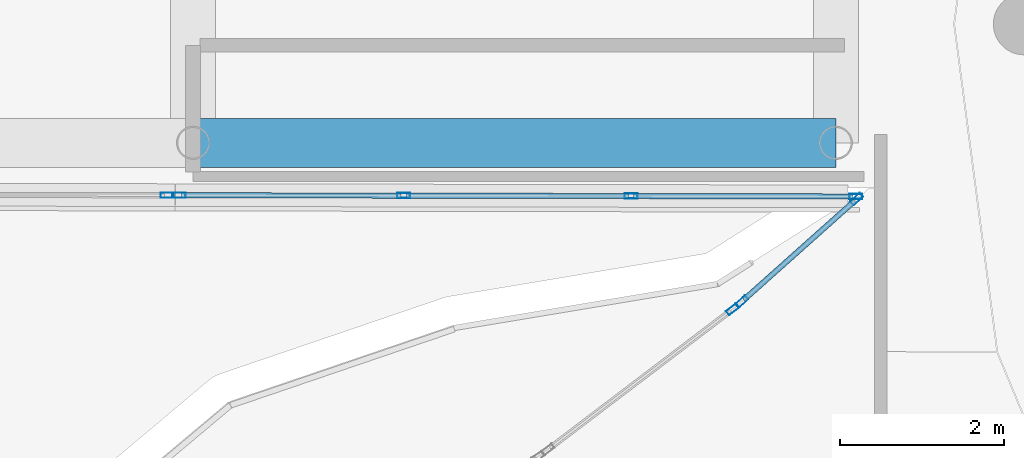
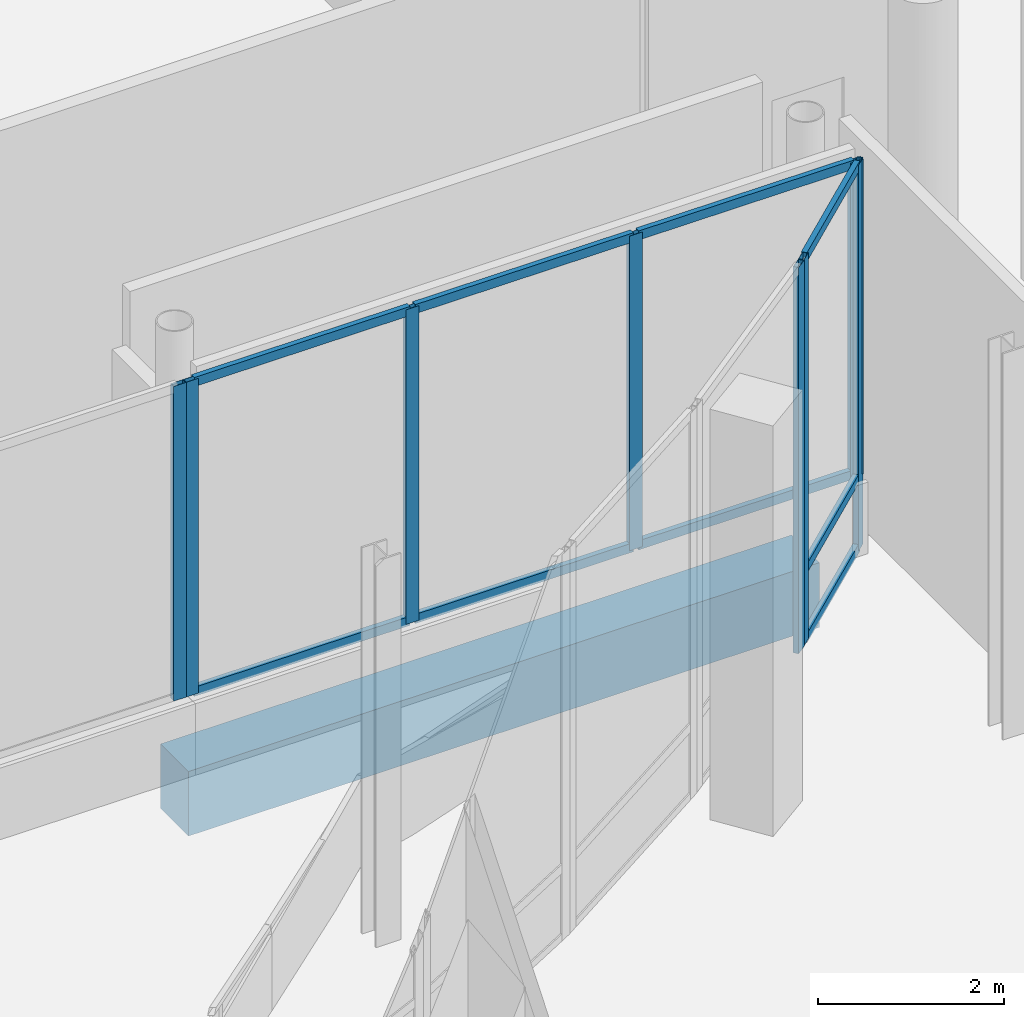
# One storey, part 54 of 158: 17 members, 1 beam, 4 elements without a shape of their own.
"""IFC4 building model written with IfcOpenShell, lengths in metres."""

from ifc_helpers import new_model, si_unit, direction, frame, origin, origin_2d, place, context, subcontext, project, spatial, rectangle, hollow_rectangle, extrude, material, material_profile, profile_set, type_object, element, aggregate, save


model = new_model("IFC4")

# Units and contexts
model_context = context("Model", 3, precision=1e-05, world=origin(), true_north=direction((0.0, 1.0)))
body_context = subcontext(model_context, "Body", "Model", "MODEL_VIEW")
ifc_project = project(units=[si_unit("LENGTHUNIT", "METRE"), si_unit("AREAUNIT", "SQUARE_METRE"), si_unit("VOLUMEUNIT", "CUBIC_METRE"), si_unit("PLANEANGLEUNIT", "RADIAN"), si_unit("MASSUNIT", "GRAM", prefix="KILO")], contexts=[model_context])

# Site, building, storey
site_placement = place(None, origin())
site = spatial("IfcSite", under=ifc_project, at=site_placement, CompositionType="ELEMENT")
building_placement = place(site_placement, origin())
building = spatial("IfcBuilding", under=site, at=building_placement, Name="Selatvlak General Hospital", CompositionType="ELEMENT")
storey_placement = place(building_placement, origin())
storey = spatial("IfcBuildingStorey", under=building, at=storey_placement, Name="L00", CompositionType="ELEMENT", Elevation=0.0)

# Beam
ifc_material_1 = material(Name="Concrete C40/50", Category="concrete")
ifc_material_profile_1 = material_profile(ifc_material_1, rectangle(XDim=0.60009765625, YDim=0.85009765625, at=origin_2d()), Name="RC-BM 600x850")
ifc_profile_set_1 = profile_set([ifc_material_profile_1], Name="Concrete C40/50")
beam_type = type_object("IfcBeamType", Name="BM-G01", PredefinedType="BEAM", material=ifc_profile_set_1)
beam_placement = place(storey_placement, frame((73.199951171875, 52.550048828125, -0.77490234375), z_axis=(1.0, 0.0, 0.0), x_axis=(0.0, 1.0, 0.0)))
element("IfcBeam", 1, at=beam_placement, inside=storey, type_object=beam_type, Name="Beam BMR-L00-0009", PredefinedType="BEAM", context=body_context, shape_type="SweptSolid", body=[
    extrude(rectangle(XDim=0.60009765625, YDim=0.85009765625, at=origin_2d()), origin(), (0.0, 0.0, 1.0), 7.85009765625),
])

# Curtain wall, member
ifc_material_2 = material(Name="Solar-control Low-E double glazing", Category="glass")
curtain_wall_type_1 = type_object("IfcCurtainWallType", Name="CW-CW-01", PredefinedType="USERDEFINED", material=ifc_material_2)
curtain_wall_1_placement = place(storey_placement, origin())
curtain_wall_1 = element("IfcCurtainWall", 2, at=curtain_wall_1_placement, inside=storey, type_object=curtain_wall_type_1, Name="Glazed facade curtain wall CW-L00-0085", ObjectType="UNITISED CURTAIN WALL", PredefinedType="USERDEFINED")
ifc_material_3 = material(Name="Dark anodised aluminium mullion", Category="aluminium")
ifc_material_profile_2 = material_profile(ifc_material_3, hollow_rectangle(XDim=0.06494140625, YDim=0.159912109375, WallThickness=0.00390625, at=origin_2d()), Name="AL-MUL 65x160x4")
ifc_profile_set_2 = profile_set([ifc_material_profile_2], Name="Dark anodised aluminium mullion")
member_type_1 = type_object("IfcMemberType", Name="CWM-01", PredefinedType="MULLION", material=ifc_profile_set_2)
member_1_placement = place(storey_placement, frame((79.7919921875, 50.517333984375, 0.0), z_axis=(0.0, 0.0, 1.0), x_axis=(-0.604514782215, 0.796593922952, 0.0)))
member_1 = element("IfcMember", 3, at=member_1_placement, type_object=member_type_1, Name="CW-01 mullion 2", PredefinedType="MULLION", context=body_context, shape_type="SweptSolid", body=[
    extrude(hollow_rectangle(XDim=0.06494140625, YDim=0.159912109375, WallThickness=0.00390625, at=origin_2d()), origin(), (0.0, 0.0, 1.0), 5.080078125),
])
aggregate(curtain_wall_1, [member_1])

# Curtain wall, members
curtain_wall_type_2 = type_object("IfcCurtainWallType", Name="CW-CW-02", PredefinedType="USERDEFINED", material=ifc_material_2)
curtain_wall_2_placement = place(storey_placement, origin())
curtain_wall_2 = element("IfcCurtainWall", 4, at=curtain_wall_2_placement, inside=storey, type_object=curtain_wall_type_2, Name="Glazed facade curtain wall CW-L00-0086", ObjectType="UNITISED CURTAIN WALL", PredefinedType="USERDEFINED")
member_2_placement = place(storey_placement, frame((79.90234375, 50.610595703125, 0.0), z_axis=(0.0, 0.0, 1.0), x_axis=(-0.665638040566, 0.746274747631, 0.0)))
member_2 = element("IfcMember", 5, at=member_2_placement, type_object=member_type_1, Name="CW-02 mullion 1", PredefinedType="MULLION", context=body_context, shape_type="SweptSolid", body=[
    extrude(hollow_rectangle(XDim=0.06494140625, YDim=0.159912109375, WallThickness=0.00390625, at=origin_2d()), origin(), (0.0, 0.0, 1.0), 5.080078125),
])
member_3_placement = place(storey_placement, frame((81.306640625, 51.86328125, 0.0), z_axis=(0.0, 0.0, 1.0), x_axis=(-0.665638040566, 0.746274747631, 0.0)))
member_3 = element("IfcMember", 6, at=member_3_placement, type_object=member_type_1, Name="CW-02 mullion 2", PredefinedType="MULLION", context=body_context, shape_type="SweptSolid", body=[
    extrude(hollow_rectangle(XDim=0.06494140625, YDim=0.159912109375, WallThickness=0.00390625, at=origin_2d()), origin(), (0.0, 0.0, 1.0), 5.080078125),
])

curtain_wall_3_placement = place(storey_placement, origin())
curtain_wall_3 = element("IfcCurtainWall", 7, at=curtain_wall_3_placement, inside=storey, type_object=curtain_wall_type_2, Name="Glazed facade curtain wall CW-L00-0087", ObjectType="UNITISED CURTAIN WALL", PredefinedType="USERDEFINED")
member_4_placement = place(storey_placement, frame((81.29443359375, 51.89501953125, 0.93994140625), z_axis=(0.0, 0.0, 1.0), x_axis=(-0.001800285137, -0.999998379485, 0.0)))
member_4 = element("IfcMember", 8, at=member_4_placement, type_object=member_type_1, Name="CW-02 mullion 1", PredefinedType="MULLION", context=body_context, shape_type="SweptSolid", body=[
    extrude(hollow_rectangle(XDim=0.06494140625, YDim=0.159912109375, WallThickness=0.00390625, at=origin_2d()), origin(), (0.0, 0.0, 1.0), 4.14013671875),
])
member_5_placement = place(storey_placement, frame((78.549560546875, 51.89990234375, 0.93994140625), z_axis=(0.0, 0.0, 1.0), x_axis=(-0.001800285137, -0.999998379485, 0.0)))
member_5 = element("IfcMember", 9, at=member_5_placement, type_object=member_type_1, Name="CW-02 mullion 2", PredefinedType="MULLION", context=body_context, shape_type="SweptSolid", body=[
    extrude(hollow_rectangle(XDim=0.06494140625, YDim=0.159912109375, WallThickness=0.00390625, at=origin_2d()), origin(), (0.0, 0.0, 1.0), 4.14013671875),
])
member_6_placement = place(storey_placement, frame((75.772216796875, 51.905029296875, 0.93994140625), z_axis=(0.0, 0.0, 1.0), x_axis=(-0.001800285137, -0.999998379485, 0.0)))
member_6 = element("IfcMember", 10, at=member_6_placement, type_object=member_type_1, Name="CW-02 mullion 3", PredefinedType="MULLION", context=body_context, shape_type="SweptSolid", body=[
    extrude(hollow_rectangle(XDim=0.06494140625, YDim=0.159912109375, WallThickness=0.00390625, at=origin_2d()), origin(), (0.0, 0.0, 1.0), 4.14013671875),
])
member_7_placement = place(storey_placement, frame((73.027587890625, 51.909912109375, 0.93994140625), z_axis=(0.0, 0.0, 1.0), x_axis=(-0.001800285137, -0.999998379485, 0.0)))
member_7 = element("IfcMember", 11, at=member_7_placement, type_object=member_type_1, Name="CW-02 mullion 4", PredefinedType="MULLION", context=body_context, shape_type="SweptSolid", body=[
    extrude(hollow_rectangle(XDim=0.06494140625, YDim=0.159912109375, WallThickness=0.00390625, at=origin_2d()), origin(), (0.0, 0.0, 1.0), 4.14013671875),
])

# Curtain wall, member
curtain_wall_4_placement = place(storey_placement, origin())
curtain_wall_4 = element("IfcCurtainWall", 12, at=curtain_wall_4_placement, inside=storey, type_object=curtain_wall_type_1, Name="Glazed facade curtain wall CW-L00-0088", ObjectType="UNITISED CURTAIN WALL", PredefinedType="USERDEFINED")
member_8_placement = place(storey_placement, frame((72.882568359375, 51.91015625, 0.93994140625), z_axis=(0.0, 0.0, 1.0), x_axis=(-0.001811153756, -0.99999835986, 0.0)))
member_8 = element("IfcMember", 13, at=member_8_placement, type_object=member_type_1, Name="CW-01 mullion 1", PredefinedType="MULLION", context=body_context, shape_type="SweptSolid", body=[
    extrude(hollow_rectangle(XDim=0.06494140625, YDim=0.159912109375, WallThickness=0.00390625, at=origin_2d()), origin(), (0.0, 0.0, 1.0), 4.14013671875),
])
aggregate(curtain_wall_4, [member_8])

# Member
ifc_material_profile_3 = material_profile(ifc_material_3, hollow_rectangle(XDim=0.06494140625, YDim=0.1201171875, WallThickness=0.00390625, at=origin_2d()), Name="AL-TRN 65x120x4")
ifc_profile_set_3 = profile_set([ifc_material_profile_3], Name="Dark anodised aluminium mullion")
member_type_2 = type_object("IfcMemberType", Name="CWT-01", PredefinedType="USERDEFINED", material=ifc_profile_set_3)
member_9_placement = place(storey_placement, frame((79.926513671875, 50.63232421875, 0.032470703125), z_axis=(0.746266570854, 0.66564720778, 0.0), x_axis=(-0.66564720778, 0.746266570854, 0.0)))
member_9 = element("IfcMember", 14, at=member_9_placement, type_object=member_type_2, Name="CW-02 transom 1.1", ObjectType="TRANSOM", PredefinedType="USERDEFINED", context=body_context, shape_type="SweptSolid", body=[
    extrude(hollow_rectangle(XDim=0.06494140625, YDim=0.1201171875, WallThickness=0.00390625, at=origin_2d()), origin(), (0.0, 0.0, 1.0), 1.81689453125),
])

member_10_placement = place(storey_placement, frame((79.926513671875, 50.63232421875, 0.949951171875), z_axis=(0.746266570854, 0.66564720778, 0.0), x_axis=(-0.66564720778, 0.746266570854, 0.0)))
member_10 = element("IfcMember", 15, at=member_10_placement, type_object=member_type_2, Name="CW-02 transom 1.2", ObjectType="TRANSOM", PredefinedType="USERDEFINED", context=body_context, shape_type="SweptSolid", body=[
    extrude(hollow_rectangle(XDim=0.06494140625, YDim=0.1201171875, WallThickness=0.00390625, at=origin_2d()), origin(), (0.0, 0.0, 1.0), 1.81689453125),
])

member_11_placement = place(storey_placement, frame((79.926513671875, 50.63232421875, 5.047607421875), z_axis=(0.746266570854, 0.66564720778, 0.0), x_axis=(-0.66564720778, 0.746266570854, 0.0)))
member_11 = element("IfcMember", 16, at=member_11_placement, type_object=member_type_2, Name="CW-02 transom 1.3", ObjectType="TRANSOM", PredefinedType="USERDEFINED", context=body_context, shape_type="SweptSolid", body=[
    extrude(hollow_rectangle(XDim=0.06494140625, YDim=0.1201171875, WallThickness=0.00390625, at=origin_2d()), origin(), (0.0, 0.0, 1.0), 1.81689453125),
])

aggregate(curtain_wall_2, [member_2, member_3, member_9, member_10, member_11])

member_12_placement = place(storey_placement, frame((81.261962890625, 51.89501953125, 0.972412109375), z_axis=(-0.999998339875, 0.001822154409, 0.0), x_axis=(-0.001822154409, -0.999998339875, 0.0)))
member_12 = element("IfcMember", 17, at=member_12_placement, type_object=member_type_2, Name="CW-02 transom 1.1", ObjectType="TRANSOM", PredefinedType="USERDEFINED", context=body_context, shape_type="SweptSolid", body=[
    extrude(hollow_rectangle(XDim=0.06494140625, YDim=0.1201171875, WallThickness=0.00390625, at=origin_2d()), origin(), (0.0, 0.0, 1.0), 2.6796875),
])

member_13_placement = place(storey_placement, frame((81.261962890625, 51.89501953125, 5.047607421875), z_axis=(-0.999998339875, 0.001822154409, 0.0), x_axis=(-0.001822154409, -0.999998339875, 0.0)))
member_13 = element("IfcMember", 18, at=member_13_placement, type_object=member_type_2, Name="CW-02 transom 1.2", ObjectType="TRANSOM", PredefinedType="USERDEFINED", context=body_context, shape_type="SweptSolid", body=[
    extrude(hollow_rectangle(XDim=0.06494140625, YDim=0.1201171875, WallThickness=0.00390625, at=origin_2d()), origin(), (0.0, 0.0, 1.0), 2.6796875),
])

member_14_placement = place(storey_placement, frame((78.51708984375, 51.900146484375, 0.972412109375), z_axis=(-0.999998379388, 0.001800339147, 0.0), x_axis=(-0.001800339147, -0.999998379388, 0.0)))
member_14 = element("IfcMember", 19, at=member_14_placement, type_object=member_type_2, Name="CW-02 transom 2.1", ObjectType="TRANSOM", PredefinedType="USERDEFINED", context=body_context, shape_type="SweptSolid", body=[
    extrude(hollow_rectangle(XDim=0.06494140625, YDim=0.1201171875, WallThickness=0.00390625, at=origin_2d()), origin(), (0.0, 0.0, 1.0), 2.712158203125),
])

member_15_placement = place(storey_placement, frame((78.51708984375, 51.900146484375, 5.047607421875), z_axis=(-0.999998379388, 0.001800339147, 0.0), x_axis=(-0.001800339147, -0.999998379388, 0.0)))
member_15 = element("IfcMember", 20, at=member_15_placement, type_object=member_type_2, Name="CW-02 transom 2.2", ObjectType="TRANSOM", PredefinedType="USERDEFINED", context=body_context, shape_type="SweptSolid", body=[
    extrude(hollow_rectangle(XDim=0.06494140625, YDim=0.1201171875, WallThickness=0.00390625, at=origin_2d()), origin(), (0.0, 0.0, 1.0), 2.712158203125),
])

member_16_placement = place(storey_placement, frame((75.73974609375, 51.905029296875, 0.972412109375), z_axis=(-0.999998339875, 0.001822154409, 0.0), x_axis=(-0.001822154409, -0.999998339875, 0.0)))
member_16 = element("IfcMember", 21, at=member_16_placement, type_object=member_type_2, Name="CW-02 transom 3.1", ObjectType="TRANSOM", PredefinedType="USERDEFINED", context=body_context, shape_type="SweptSolid", body=[
    extrude(hollow_rectangle(XDim=0.06494140625, YDim=0.1201171875, WallThickness=0.00390625, at=origin_2d()), origin(), (0.0, 0.0, 1.0), 2.6796875),
])

member_17_placement = place(storey_placement, frame((75.73974609375, 51.905029296875, 5.047607421875), z_axis=(-0.999998339875, 0.001822154409, 0.0), x_axis=(-0.001822154409, -0.999998339875, 0.0)))
member_17 = element("IfcMember", 22, at=member_17_placement, type_object=member_type_2, Name="CW-02 transom 3.2", ObjectType="TRANSOM", PredefinedType="USERDEFINED", context=body_context, shape_type="SweptSolid", body=[
    extrude(hollow_rectangle(XDim=0.06494140625, YDim=0.1201171875, WallThickness=0.00390625, at=origin_2d()), origin(), (0.0, 0.0, 1.0), 2.6796875),
])

aggregate(curtain_wall_3, [member_4, member_5, member_6, member_7, member_12, member_13, member_14, member_15, member_16, member_17])

save(model, "model.ifc")
